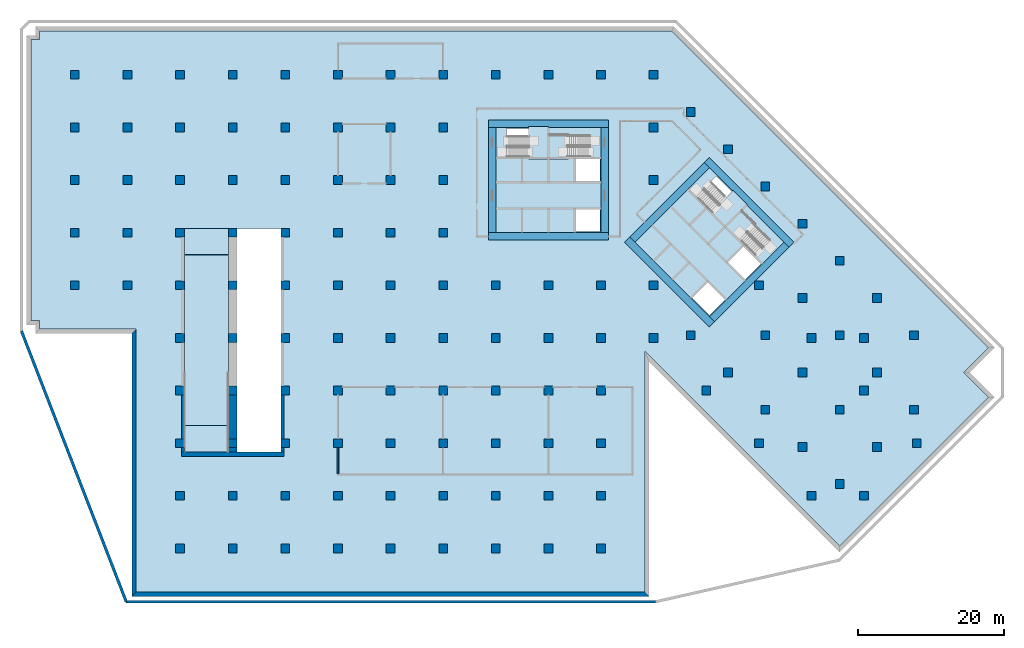
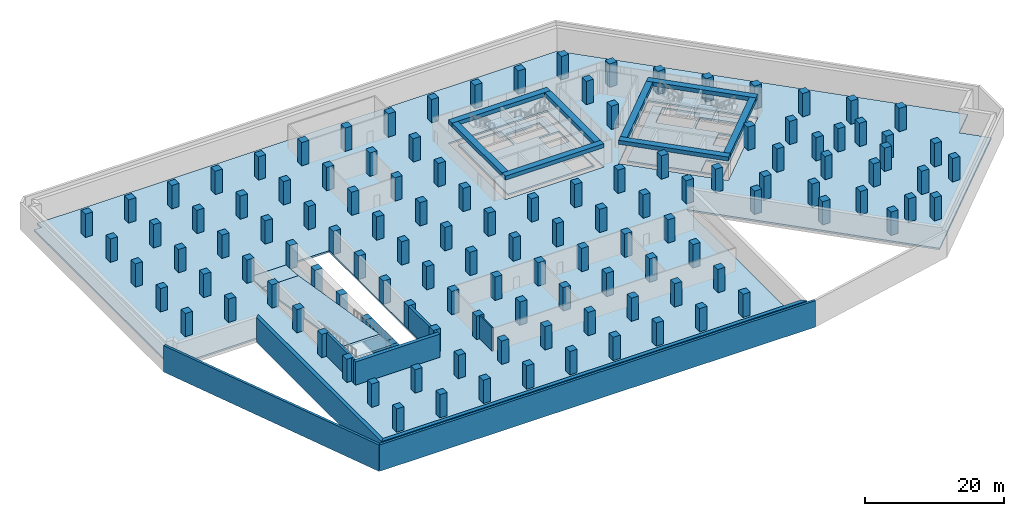
# One storey, part 1 of 11: 125 columns, 12 walls, 10 slabs, 8 beams, 12 openings, 4 elements without a shape of their own.
"""IFC4 building model written with IfcOpenShell, lengths in metres."""

import ifcopenshell
import ifcopenshell.guid

model = None  # the IFC model being written
_history = None  # IfcOwnerHistory: only IFC2X3 demands one
_inside = {}  # id of a spatial element -> (the spatial element, [elements in it])
_under = {}  # id of a project, library or spatial element -> (it, [spatial elements below it])
_declared = {}  # id of a project -> (the project, [libraries it declares])
_typed = {}  # id of a type object -> (the type object, [elements of that type])
_made_of = {}  # id of a material, layer set ... -> (it, [elements and type objects made of it])


def new_model(schema):
    """Start an empty IFC model of exactly this schema.

    Asked for "IFC4X3", IfcOpenShell would pick the latest addendum, in which some entities
    have other attributes; the version numbers below select the first issue.
    IFC2X3 requires an IfcOwnerHistory on every rooted entity: one is made here for all.
    """
    global model, _history
    if schema == "IFC4X3":
        model = ifcopenshell.file(schema_version=(4, 3, 0, 0))
    else:
        model = ifcopenshell.file(schema=schema)
    _inside.clear()
    _under.clear()
    _declared.clear()
    _typed.clear()
    _made_of.clear()
    _history = None
    if model.schema == "IFC2X3":
        org = make("IfcOrganization", Name="unknown")
        user = make(
            "IfcPersonAndOrganization",
            ThePerson=make("IfcPerson", FamilyName="unknown"),
            TheOrganization=org,
        )
        app = make(
            "IfcApplication",
            ApplicationDeveloper=org,
            Version="unknown",
            ApplicationFullName="unknown",
            ApplicationIdentifier="unknown",
        )
        _history = make(
            "IfcOwnerHistory",
            OwningUser=user,
            OwningApplication=app,
            ChangeAction="ADDED",
            CreationDate=0,
        )
    return model


def make(cls, **values):
    """One entity of the class cls with the attributes given. An attribute that is None is left unset."""
    return model.create_entity(
        cls, **{name: value for name, value in values.items() if value is not None}
    )


def rooted(cls, **values):
    """An entity with a GlobalId (a new one), such as an element, a storey or a relation."""
    return make(cls, GlobalId=ifcopenshell.guid.new(), OwnerHistory=_history, **values)


def si_unit(unit_type, name, prefix=None):
    """IfcSIUnit, for example si_unit("LENGTHUNIT", "METRE", prefix="MILLI")."""
    return make("IfcSIUnit", UnitType=unit_type, Prefix=prefix, Name=name)


def assignment(units):
    """IfcUnitAssignment: the units of a project."""
    return None if units is None else make("IfcUnitAssignment", Units=units)


def point(xyz):
    """IfcCartesianPoint."""
    return None if xyz is None else make("IfcCartesianPoint", Coordinates=xyz)


def direction(xyz):
    """IfcDirection."""
    return None if xyz is None else make("IfcDirection", DirectionRatios=xyz)


def frame(location, z_axis=None, x_axis=None):
    """IfcAxis2Placement3D, a coordinate frame: its origin and axes. An axis left out is left unset."""
    return make(
        "IfcAxis2Placement3D",
        Location=point(location),
        Axis=direction(z_axis),
        RefDirection=direction(x_axis),
    )


def frame_2d(location, x_axis=None):
    """IfcAxis2Placement2D, a coordinate frame in the plane: its origin and x axis."""
    return make(
        "IfcAxis2Placement2D", Location=point(location), RefDirection=direction(x_axis)
    )


def origin():
    """The frame at (0, 0, 0) with its axes left unset."""
    return frame((0.0, 0.0, 0.0))


def origin_2d():
    """The frame at (0, 0) in the plane with its x axis left unset."""
    return frame_2d((0.0, 0.0))


def place(relative_to, where):
    """IfcLocalPlacement: puts the frame where relative to a parent placement (None: the world)."""
    return make(
        "IfcLocalPlacement", PlacementRelTo=relative_to, RelativePlacement=where
    )


def context(
    kind, dimensions, precision=None, world=None, true_north=None, identifier=None
):
    """IfcGeometricRepresentationContext, for example the 3D "Model" context."""
    return make(
        "IfcGeometricRepresentationContext",
        ContextIdentifier=identifier,
        ContextType=kind,
        CoordinateSpaceDimension=dimensions,
        Precision=precision,
        WorldCoordinateSystem=world,
        TrueNorth=true_north,
    )


def subcontext(parent, identifier, kind, view, scale=None):
    """IfcGeometricRepresentationSubContext, for example "Body" below "Model"."""
    return make(
        "IfcGeometricRepresentationSubContext",
        ContextIdentifier=identifier,
        ContextType=kind,
        ParentContext=parent,
        TargetScale=scale,
        TargetView=view,
    )


def project(units=None, contexts=None):
    """IfcProject with its units and contexts."""
    return rooted(
        "IfcProject",
        Name="project",
        RepresentationContexts=contexts,
        UnitsInContext=assignment(units),
    )


def spatial(cls, under=None, at=None, **own):
    """A site, building, storey or space (cls), placed at a placement, below another one or the project."""
    s = rooted(cls, ObjectPlacement=at, **own)
    if under is not None:
        _under.setdefault(under.id(), (under, []))[1].append(s)
    return s


def polyline(points):
    """IfcPolyline through the points."""
    return make("IfcPolyline", Points=[point(p) for p in points])


def profile(cls, at=None, kind="AREA", **sizes):
    """A parametric profile (cls). Its sizes go by their IFC names, for example OverallWidth=200.0."""
    return make(cls, ProfileType=kind, Position=at, **sizes)


def rectangle(**sizes):
    """IfcRectangleProfileDef."""
    return profile("IfcRectangleProfileDef", **sizes)


def outline(outer, holes=None, kind="AREA"):
    """IfcArbitraryClosedProfileDef: a profile drawn as a closed curve; with holes, ...WithVoids."""
    if holes is None:
        return make("IfcArbitraryClosedProfileDef", ProfileType=kind, OuterCurve=outer)
    return make(
        "IfcArbitraryProfileDefWithVoids",
        ProfileType=kind,
        OuterCurve=outer,
        InnerCurves=holes,
    )


def extrude(swept, where, along, depth):
    """IfcExtrudedAreaSolid: the profile swept, set in the frame where, extruded along a direction by depth."""
    return make(
        "IfcExtrudedAreaSolid",
        SweptArea=swept,
        Position=where,
        ExtrudedDirection=direction(along),
        Depth=depth,
    )


def shape(context_of_items, identifier, shape_type, items):
    """IfcShapeRepresentation: the items that make up one representation, for example the "Body"."""
    return make(
        "IfcShapeRepresentation",
        ContextOfItems=context_of_items,
        RepresentationIdentifier=identifier,
        RepresentationType=shape_type,
        Items=items,
    )


def material(Name=None, Category=None):
    """IfcMaterial."""
    return make("IfcMaterial", Name=Name, Category=Category)


def layer(
    of_material, thickness, ventilated=None, Name=None, Category=None, Priority=None
):
    """IfcMaterialLayer: one layer of a wall or slab, of a material (None: an air gap)."""
    return make(
        "IfcMaterialLayer",
        Material=of_material,
        LayerThickness=thickness,
        IsVentilated=ventilated,
        Name=Name,
        Category=Category,
        Priority=Priority,
    )


def layer_set(layers, Name=None):
    """IfcMaterialLayerSet."""
    return make("IfcMaterialLayerSet", MaterialLayers=layers, LayerSetName=Name)


def material_profile(
    of_material, cross_section, Name=None, Category=None, Priority=None
):
    """IfcMaterialProfile: a cross section and its material."""
    return make(
        "IfcMaterialProfile",
        Name=Name,
        Material=of_material,
        Profile=cross_section,
        Priority=Priority,
        Category=Category,
    )


def profile_set(profiles, Name=None, composite=None):
    """IfcMaterialProfileSet."""
    return make(
        "IfcMaterialProfileSet",
        Name=Name,
        MaterialProfiles=profiles,
        CompositeProfile=composite,
    )


def made_of(thing, what):
    """Note that an element or type object is made of a material, layer set ...; save() writes the relation."""
    if what is not None:
        _made_of.setdefault(what.id(), (what, []))[1].append(thing)
    return thing


def type_object(cls, material=None, **own):
    """A type object (cls), such as IfcWallType, which elements share."""
    return made_of(rooted(cls, **own), material)


def element(
    cls,
    number,
    at=None,
    inside=None,
    cuts=None,
    type_object=None,
    material=None,
    context=None,
    identifier="Body",
    shape_type=None,
    held_by="IfcProductDefinitionShape",
    body=None,
    shapes=None,
    **own,
):
    """One element of the class cls, such as IfcWall. Its Tag is "e" and its number.

    at: its placement. inside: the storey or other place that contains it. cuts: it is an
    opening in that element (IfcRelVoidsElement). A single representation is given by context,
    identifier, shape_type and body (its items); several are given by shapes. held_by: the class
    of the entity that holds the representations. save() writes the other relations.
    """
    e = rooted(cls, Tag="e%d" % number, ObjectPlacement=at, **own)
    if body is not None:
        shapes = [shape(context, identifier, shape_type, body)]
    if shapes is not None:
        e.Representation = make(held_by, Representations=shapes)
    if inside is not None:
        _inside.setdefault(inside.id(), (inside, []))[1].append(e)
    if cuts is not None:
        rooted(
            "IfcRelVoidsElement", RelatingBuildingElement=cuts, RelatedOpeningElement=e
        )
    if type_object is not None:
        _typed.setdefault(type_object.id(), (type_object, []))[1].append(e)
    return made_of(e, material)


def aggregate(whole, parts):
    """IfcRelAggregates: a whole, such as a stair, and the parts it consists of."""
    return rooted("IfcRelAggregates", RelatingObject=whole, RelatedObjects=parts)


def save(model, path):
    """Write the relations noted so far, then the file.

    IfcRelAggregates (storeys below a building ...), IfcRelContainedInSpatialStructure (elements
    in a storey), IfcRelDefinesByType, IfcRelAssociatesMaterial and IfcRelDeclares: one each for
    every whole, place, type object, material and project.
    """
    for whole, parts in _under.values():
        aggregate(whole, parts)
    for where, things in _inside.values():
        rooted(
            "IfcRelContainedInSpatialStructure",
            RelatedElements=things,
            RelatingStructure=where,
        )
    for kind, things in _typed.values():
        rooted("IfcRelDefinesByType", RelatedObjects=things, RelatingType=kind)
    for what, things in _made_of.values():
        rooted("IfcRelAssociatesMaterial", RelatedObjects=things, RelatingMaterial=what)
    for by, libraries in _declared.values():
        rooted("IfcRelDeclares", RelatingContext=by, RelatedDefinitions=libraries)
    model.write(path)


model = new_model("IFC4")

# Units and contexts
model_context = context("Model", 3, precision=1e-05, world=origin(), true_north=direction((0.0, 1.0)))
body_context = subcontext(model_context, "Body", "Model", "MODEL_VIEW")
ifc_project = project(units=[si_unit("LENGTHUNIT", "METRE"), si_unit("AREAUNIT", "SQUARE_METRE"), si_unit("VOLUMEUNIT", "CUBIC_METRE"), si_unit("PLANEANGLEUNIT", "RADIAN"), si_unit("MASSUNIT", "GRAM", prefix="KILO")], contexts=[model_context])

# Site, building, storey
site_placement = place(None, origin())
site = spatial("IfcSite", under=ifc_project, at=site_placement, CompositionType="ELEMENT")
building_placement = place(site_placement, origin())
building = spatial("IfcBuilding", under=site, at=building_placement, Name="Windrow Commons", CompositionType="ELEMENT")
storey_placement = place(building_placement, frame((0.0, 0.0, -4.5)))
storey = spatial("IfcBuildingStorey", under=building, at=storey_placement, Name="B1", CompositionType="ELEMENT", Elevation=-4.5)

# Columns
ifc_material_1 = material(Name="Concrete C60/75", Category="concrete")
ifc_material_profile_1 = material_profile(ifc_material_1, rectangle(XDim=1.2, YDim=1.2, at=origin_2d()))
ifc_profile_set_1 = profile_set([ifc_material_profile_1], Name="Concrete C60/75")
column_type = type_object("IfcColumnType", Name="RC COLUMN 1200x1200 C60/75", PredefinedType="COLUMN", material=ifc_profile_set_1)
for number, where, z_axis, x_axis, name in (
    (1, (0.0, 50.4, 0.0), (0.0, 0.0, 1.0), (1.0, 0.0, 0.0), "C-B-01G"),
    (2, (0.0, 57.6, 0.0), (0.0, 0.0, 1.0), (1.0, 0.0, 0.0), "C-B-01H"),
    (3, (0.0, 64.8, 0.0), (0.0, 0.0, 1.0), (1.0, 0.0, 0.0), "C-B-01I"),
    (4, (7.2, 43.2, 0.0), (0.0, 0.0, 1.0), (1.0, 0.0, 0.0), "C-B-02F"),
    (5, (7.2, 50.4, 0.0), (0.0, 0.0, 1.0), (1.0, 0.0, 0.0), "C-B-02G"),
    (6, (7.2, 57.6, 0.0), (0.0, 0.0, 1.0), (1.0, 0.0, 0.0), "C-B-02H"),
    (7, (7.2, 64.8, 0.0), (0.0, 0.0, 1.0), (1.0, 0.0, 0.0), "C-B-02I"),
    (8, (7.2, 72.0, 0.0), (0.0, 0.0, 1.0), (1.0, 0.0, 0.0), "C-B-02J"),
    (9, (14.4, 7.2, 0.0), (0.0, 0.0, 1.0), (1.0, 0.0, 0.0), "C-B-03A"),
    (10, (14.4, 14.4, 0.0), (0.0, 0.0, 1.0), (1.0, 0.0, 0.0), "C-B-03B"),
    (11, (14.4, 21.6, 0.0), (0.0, 0.0, 1.0), (1.0, 0.0, 0.0), "C-B-03C"),
    (12, (14.4, 28.8, 0.0), (0.0, 0.0, 1.0), (1.0, 0.0, 0.0), "C-B-03D"),
    (13, (14.4, 36.0, 0.0), (0.0, 0.0, 1.0), (1.0, 0.0, 0.0), "C-B-03E"),
    (14, (14.4, 43.2, 0.0), (0.0, 0.0, 1.0), (1.0, 0.0, 0.0), "C-B-03F"),
    (15, (14.4, 50.4, 0.0), (0.0, 0.0, 1.0), (1.0, 0.0, 0.0), "C-B-03G"),
    (16, (14.4, 57.6, 0.0), (0.0, 0.0, 1.0), (1.0, 0.0, 0.0), "C-B-03H"),
    (17, (14.4, 64.8, 0.0), (0.0, 0.0, 1.0), (1.0, 0.0, 0.0), "C-B-03I"),
    (18, (14.4, 72.0, 0.0), (0.0, 0.0, 1.0), (1.0, 0.0, 0.0), "C-B-03J"),
    (19, (21.6, 7.2, 0.0), (0.0, 0.0, 1.0), (1.0, 0.0, 0.0), "C-B-04A"),
    (20, (21.6, 14.4, 0.0), (0.0, 0.0, 1.0), (1.0, 0.0, 0.0), "C-B-04B"),
    (21, (21.6, 21.6, 0.0), (0.0, 0.0, 1.0), (1.0, 0.0, 0.0), "C-B-04C"),
    (22, (21.6, 28.8, 0.0), (0.0, 0.0, 1.0), (1.0, 0.0, 0.0), "C-B-04D"),
    (23, (21.6, 36.0, 0.0), (0.0, 0.0, 1.0), (1.0, 0.0, 0.0), "C-B-04E"),
    (24, (21.6, 43.2, 0.0), (0.0, 0.0, 1.0), (1.0, 0.0, 0.0), "C-B-04F"),
    (25, (21.6, 50.4, 0.0), (0.0, 0.0, 1.0), (1.0, 0.0, 0.0), "C-B-04G"),
    (26, (21.6, 57.6, 0.0), (0.0, 0.0, 1.0), (1.0, 0.0, 0.0), "C-B-04H"),
    (27, (21.6, 64.8, 0.0), (0.0, 0.0, 1.0), (1.0, 0.0, 0.0), "C-B-04I"),
    (28, (21.6, 72.0, 0.0), (0.0, 0.0, 1.0), (1.0, 0.0, 0.0), "C-B-04J"),
    (29, (28.8, 7.2, 0.0), (0.0, 0.0, 1.0), (1.0, 0.0, 0.0), "C-B-05A"),
    (30, (28.8, 14.4, 0.0), (0.0, 0.0, 1.0), (1.0, 0.0, 0.0), "C-B-05B"),
    (31, (28.8, 21.6, 0.0), (0.0, 0.0, 1.0), (1.0, 0.0, 0.0), "C-B-05C"),
    (32, (28.8, 28.8, 0.0), (0.0, 0.0, 1.0), (1.0, 0.0, 0.0), "C-B-05D"),
    (33, (28.8, 36.0, 0.0), (0.0, 0.0, 1.0), (1.0, 0.0, 0.0), "C-B-05E"),
    (34, (28.8, 43.2, 0.0), (0.0, 0.0, 1.0), (1.0, 0.0, 0.0), "C-B-05F"),
    (35, (28.8, 50.4, 0.0), (0.0, 0.0, 1.0), (1.0, 0.0, 0.0), "C-B-05G"),
    (36, (28.8, 57.6, 0.0), (0.0, 0.0, 1.0), (1.0, 0.0, 0.0), "C-B-05H"),
    (37, (28.8, 64.8, 0.0), (0.0, 0.0, 1.0), (1.0, 0.0, 0.0), "C-B-05I"),
    (38, (28.8, 72.0, 0.0), (0.0, 0.0, 1.0), (1.0, 0.0, 0.0), "C-B-05J"),
    (39, (36.0, 7.2, 0.0), (0.0, 0.0, 1.0), (1.0, 0.0, 0.0), "C-B-06A"),
    (40, (36.0, 14.4, 0.0), (0.0, 0.0, 1.0), (1.0, 0.0, 0.0), "C-B-06B"),
    (41, (36.0, 21.6, 0.0), (0.0, 0.0, 1.0), (1.0, 0.0, 0.0), "C-B-06C"),
    (42, (36.0, 28.8, 0.0), (0.0, 0.0, 1.0), (1.0, 0.0, 0.0), "C-B-06D"),
    (43, (36.0, 36.0, 0.0), (0.0, 0.0, 1.0), (1.0, 0.0, 0.0), "C-B-06E"),
    (44, (36.0, 43.2, 0.0), (0.0, 0.0, 1.0), (1.0, 0.0, 0.0), "C-B-06F"),
    (45, (36.0, 50.4, 0.0), (0.0, 0.0, 1.0), (1.0, 0.0, 0.0), "C-B-06G"),
    (46, (36.0, 57.6, 0.0), (0.0, 0.0, 1.0), (1.0, 0.0, 0.0), "C-B-06H"),
    (47, (36.0, 64.8, 0.0), (0.0, 0.0, 1.0), (1.0, 0.0, 0.0), "C-B-06I"),
    (48, (36.0, 72.0, 0.0), (0.0, 0.0, 1.0), (1.0, 0.0, 0.0), "C-B-06J"),
    (49, (43.2, 7.2, 0.0), (0.0, 0.0, 1.0), (1.0, 0.0, 0.0), "C-B-07A"),
    (50, (43.2, 14.4, 0.0), (0.0, 0.0, 1.0), (1.0, 0.0, 0.0), "C-B-07B"),
    (51, (43.2, 21.6, 0.0), (0.0, 0.0, 1.0), (1.0, 0.0, 0.0), "C-B-07C"),
    (52, (43.2, 28.8, 0.0), (0.0, 0.0, 1.0), (1.0, 0.0, 0.0), "C-B-07D"),
    (53, (43.2, 36.0, 0.0), (0.0, 0.0, 1.0), (1.0, 0.0, 0.0), "C-B-07E"),
    (54, (43.2, 43.2, 0.0), (0.0, 0.0, 1.0), (1.0, 0.0, 0.0), "C-B-07F"),
    (55, (43.2, 50.4, 0.0), (0.0, 0.0, 1.0), (1.0, 0.0, 0.0), "C-B-07G"),
    (56, (43.2, 57.6, 0.0), (0.0, 0.0, 1.0), (1.0, 0.0, 0.0), "C-B-07H"),
    (57, (43.2, 64.8, 0.0), (0.0, 0.0, 1.0), (1.0, 0.0, 0.0), "C-B-07I"),
    (58, (43.2, 72.0, 0.0), (0.0, 0.0, 1.0), (1.0, 0.0, 0.0), "C-B-07J"),
    (59, (50.4, 7.2, 0.0), (0.0, 0.0, 1.0), (1.0, 0.0, 0.0), "C-B-08A"),
    (60, (50.4, 14.4, 0.0), (0.0, 0.0, 1.0), (1.0, 0.0, 0.0), "C-B-08B"),
    (61, (50.4, 21.6, 0.0), (0.0, 0.0, 1.0), (1.0, 0.0, 0.0), "C-B-08C"),
    (62, (50.4, 28.8, 0.0), (0.0, 0.0, 1.0), (1.0, 0.0, 0.0), "C-B-08D"),
    (63, (50.4, 36.0, 0.0), (0.0, 0.0, 1.0), (1.0, 0.0, 0.0), "C-B-08E"),
    (64, (50.4, 43.2, 0.0), (0.0, 0.0, 1.0), (1.0, 0.0, 0.0), "C-B-08F"),
    (65, (50.4, 50.4, 0.0), (0.0, 0.0, 1.0), (1.0, 0.0, 0.0), "C-B-08G"),
    (66, (50.4, 57.6, 0.0), (0.0, 0.0, 1.0), (1.0, 0.0, 0.0), "C-B-08H"),
    (67, (50.4, 64.8, 0.0), (0.0, 0.0, 1.0), (1.0, 0.0, 0.0), "C-B-08I"),
    (68, (50.4, 72.0, 0.0), (0.0, 0.0, 1.0), (1.0, 0.0, 0.0), "C-B-08J"),
    (69, (57.6, 7.2, 0.0), (0.0, 0.0, 1.0), (1.0, 0.0, 0.0), "C-B-09A"),
    (70, (57.6, 14.4, 0.0), (0.0, 0.0, 1.0), (1.0, 0.0, 0.0), "C-B-09B"),
    (71, (57.6, 21.6, 0.0), (0.0, 0.0, 1.0), (1.0, 0.0, 0.0), "C-B-09C"),
    (72, (57.6, 28.8, 0.0), (0.0, 0.0, 1.0), (1.0, 0.0, 0.0), "C-B-09D"),
    (73, (57.6, 36.0, 0.0), (0.0, 0.0, 1.0), (1.0, 0.0, 0.0), "C-B-09E"),
    (74, (57.6, 43.2, 0.0), (0.0, 0.0, 1.0), (1.0, 0.0, 0.0), "C-B-09F"),
    (75, (57.6, 72.0, 0.0), (0.0, 0.0, 1.0), (1.0, 0.0, 0.0), "C-B-09J"),
    (76, (64.8, 7.2, 0.0), (0.0, 0.0, 1.0), (1.0, 0.0, 0.0), "C-B-10A"),
    (77, (64.8, 14.4, 0.0), (0.0, 0.0, 1.0), (1.0, 0.0, 0.0), "C-B-10B"),
    (78, (64.8, 21.6, 0.0), (0.0, 0.0, 1.0), (1.0, 0.0, 0.0), "C-B-10C"),
    (79, (64.8, 28.8, 0.0), (0.0, 0.0, 1.0), (1.0, 0.0, 0.0), "C-B-10D"),
    (80, (64.8, 36.0, 0.0), (0.0, 0.0, 1.0), (1.0, 0.0, 0.0), "C-B-10E"),
    (81, (64.8, 43.2, 0.0), (0.0, 0.0, 1.0), (1.0, 0.0, 0.0), "C-B-10F"),
    (82, (64.8, 72.0, 0.0), (0.0, 0.0, 1.0), (1.0, 0.0, 0.0), "C-B-10J"),
    (83, (72.0, 7.2, 0.0), (0.0, 0.0, 1.0), (1.0, 0.0, 0.0), "C-B-11A"),
    (84, (72.0, 14.4, 0.0), (0.0, 0.0, 1.0), (1.0, 0.0, 0.0), "C-B-11B"),
    (85, (72.0, 21.6, 0.0), (0.0, 0.0, 1.0), (1.0, 0.0, 0.0), "C-B-11C"),
    (86, (72.0, 28.8, 0.0), (0.0, 0.0, 1.0), (1.0, 0.0, 0.0), "C-B-11D"),
    (87, (72.0, 36.0, 0.0), (0.0, 0.0, 1.0), (1.0, 0.0, 0.0), "C-B-11E"),
    (88, (72.0, 43.2, 0.0), (0.0, 0.0, 1.0), (1.0, 0.0, 0.0), "C-B-11F"),
    (89, (72.0, 72.0, 0.0), (0.0, 0.0, 1.0), (1.0, 0.0, 0.0), "C-B-11J"),
    (90, (79.2, 43.2, 0.0), (0.0, 0.0, 1.0), (1.0, 0.0, 0.0), "C-B-12F"),
    (91, (79.2, 57.6, 0.0), (0.0, 0.0, 1.0), (1.0, 0.0, 0.0), "C-B-12H"),
    (92, (79.2, 64.8, 0.0), (0.0, 0.0, 1.0), (1.0, 0.0, 0.0), "C-B-12I"),
    (93, (79.2, 72.0, 0.0), (0.0, 0.0, 1.0), (1.0, 0.0, 0.0), "C-B-12J"),
    (94, (84.2912, 66.9088, 0.0), (0.0, 0.0, 1.0), (1.0, 0.0, 0.0), "C-B-P2Q"),
    (95, (89.3823, 61.8177, 0.0), (0.0, 0.0, 1.0), (1.0, 0.0, 0.0), "C-B-P3Q"),
    (96, (94.4735, 56.7265, 0.0), (0.0, 0.0, 1.0), (1.0, 0.0, 0.0), "C-B-P4Q"),
    (97, (99.5647, 51.6353, 0.0), (0.0, 0.0, 1.0), (1.0, 0.0, 0.0), "C-B-P5Q"),
    (98, (84.2912, 36.3618, 0.0), (0.0, 0.0, 1.0), (1.0, 0.0, 0.0), "C-B-P5T"),
    (99, (104.6558, 46.5442, 0.0), (0.0, 0.0, 1.0), (1.0, 0.0, 0.0), "C-B-P6Q"),
    (100, (99.5647, 41.453, 0.0), (0.0, 0.0, 1.0), (1.0, 0.0, 0.0), "C-B-P6R"),
    (101, (94.4735, 36.3618, 0.0), (0.0, 0.0, 1.0), (1.0, 0.0, 0.0), "C-B-P6S"),
    (102, (89.3823, 31.2706, 0.0), (0.0, 0.0, 1.0), (1.0, 0.0, 0.0), "C-B-P6T"),
    (103, (109.747, 41.453, 0.0), (0.0, 0.0, 1.0), (1.0, 0.0, 0.0), "C-B-P7Q"),
    (104, (104.6558, 36.3618, 0.0), (0.0, 0.0, 1.0), (1.0, 0.0, 0.0), "C-B-P7R"),
    (105, (99.5647, 31.2706, 0.0), (0.0, 0.0, 1.0), (1.0, 0.0, 0.0), "C-B-P7S"),
    (106, (94.4735, 26.1795, 0.0), (0.0, 0.0, 1.0), (1.0, 0.0, 0.0), "C-B-P7T"),
    (107, (114.8382, 36.3618, 0.0), (0.0, 0.0, 1.0), (1.0, 0.0, 0.0), "C-B-P8Q"),
    (108, (109.747, 31.2706, 0.0), (0.0, 0.0, 1.0), (1.0, 0.0, 0.0), "C-B-P8R"),
    (109, (104.6558, 26.1795, 0.0), (0.0, 0.0, 1.0), (1.0, 0.0, 0.0), "C-B-P8S"),
    (110, (99.5647, 21.0883, 0.0), (0.0, 0.0, 1.0), (1.0, 0.0, 0.0), "C-B-P8T"),
    (111, (114.8382, 26.1795, 0.0), (0.0, 0.0, 1.0), (1.0, 0.0, 0.0), "C-B-P9R"),
    (112, (109.747, 21.0883, 0.0), (0.0, 0.0, 1.0), (1.0, 0.0, 0.0), "C-B-P9S"),
    (113, (104.6558, 15.9971, 0.0), (0.0, 0.0, 1.0), (1.0, 0.0, 0.0), "C-B-P9T"),
    (114, (0.0, 43.2, 0.0), (0.0, 0.0, 1.0), (1.0, 0.0, 0.0), "C-B-01F"),
    (115, (0.0, 72.0, 0.0), (0.0, 0.0, 1.0), (1.0, 0.0, 0.0), "C-B-01J"),
    (116, (79.2, 36.0, 0.0), (0.0, 0.0, 1.0), (1.0, 0.0, 0.0), "C-B-12E"),
    (117, (86.4, 28.8, 0.0), (0.0, 0.0, 1.0), (1.0, 0.0, 0.0), "C-B-13D"),
    (118, (93.6, 21.6, 0.0), (0.0, 0.0, 1.0), (1.0, 0.0, 0.0), "C-B-14C"),
    (119, (93.6, 43.2, 0.0), (0.0, 0.0, 1.0), (1.0, 0.0, 0.0), "C-B-14F"),
    (120, (100.8, 14.4, 0.0), (0.0, 0.0, 1.0), (1.0, 0.0, 0.0), "C-B-15B"),
    (121, (100.8, 36.0, 0.0), (0.0, 0.0, 1.0), (1.0, 0.0, 0.0), "C-B-15E"),
    (122, (108.0, 14.4, 0.0), (0.0, 0.0, 1.0), (1.0, 0.0, 0.0), "C-B-16B"),
    (123, (108.0, 28.8, 0.0), (0.0, 0.0, 1.0), (1.0, 0.0, 0.0), "C-B-16D"),
    (124, (108.0, 36.0, 0.0), (0.0, 0.0, 1.0), (1.0, 0.0, 0.0), "C-B-16E"),
    (125, (115.2, 21.6, 0.0), (0.0, 0.0, 1.0), (1.0, 0.0, 0.0), "C-B-17C"),
):
    element("IfcColumn", number, at=place(storey_placement, frame(where, z_axis=z_axis, x_axis=x_axis)), inside=storey, type_object=column_type, Name=name, PredefinedType="COLUMN", context=body_context, shape_type="SweptSolid", body=[
        extrude(rectangle(XDim=1.2, YDim=1.2, at=origin_2d()), origin(), (0.0, 0.0, 1.0), 4.1),
    ])

# Beams
ifc_material_2 = material(Name="Concrete C60/75", Category="concrete")
ifc_material_profile_2 = material_profile(ifc_material_2, rectangle(XDim=1.0, YDim=0.7, at=origin_2d()))
ifc_profile_set_2 = profile_set([ifc_material_profile_2], Name="Concrete C60/75")
beam_type = type_object("IfcBeamType", Name="RC COUPLING BEAM 1000x700 C60/75", PredefinedType="LINTEL", material=ifc_profile_set_2)
for number, where, z_axis, x_axis, name in (
    (126, (56.6, 49.9, 3.75), (1.0, 0.0, 0.0), (0.0, 1.0, 0.0), "Core A coupling beam outer-S"),
    (127, (56.6, 65.3, 3.75), (1.0, 0.0, 0.0), (0.0, 1.0, 0.0), "Core A coupling beam outer-N"),
):
    element("IfcBeam", number, at=place(storey_placement, frame(where, z_axis=z_axis, x_axis=x_axis)), inside=storey, type_object=beam_type, Name=name, PredefinedType="LINTEL", context=body_context, shape_type="SweptSolid", body=[
        extrude(rectangle(XDim=1.0, YDim=0.7, at=origin_2d()), origin(), (0.0, 0.0, 1.0), 16.4),
    ])
for number, where, z_axis, x_axis, name in (
    (128, (57.1, 50.4, 3.75), (0.0, 1.0, 0.0), (-1.0, 0.0, 0.0), "Core A coupling beam outer-W"),
    (129, (72.5, 50.4, 3.75), (0.0, 1.0, 0.0), (-1.0, 0.0, 0.0), "Core A coupling beam outer-E"),
):
    element("IfcBeam", number, at=place(storey_placement, frame(where, z_axis=z_axis, x_axis=x_axis)), inside=storey, type_object=beam_type, Name=name, PredefinedType="LINTEL", context=body_context, shape_type="SweptSolid", body=[
        extrude(rectangle(XDim=1.0, YDim=0.7, at=origin_2d()), origin(), (0.0, 0.0, 1.0), 14.4),
    ])
for number, where, z_axis, x_axis, name in (
    (130, (75.5938, 49.4433, 3.75), (0.7071037324, -0.70710983, 0.0), (0.70710983, 0.7071037324, 0.0), "Core B coupling beam outer-S"),
    (131, (86.4832, 60.3327, 3.75), (0.70710983, -0.7071037324, 0.0), (0.7071037324, 0.70710983, 0.0), "Core B coupling beam outer-N"),
):
    element("IfcBeam", number, at=place(storey_placement, frame(where, z_axis=z_axis, x_axis=x_axis)), inside=storey, type_object=beam_type, Name=name, PredefinedType="LINTEL", context=body_context, shape_type="SweptSolid", body=[
        extrude(rectangle(XDim=1.0, YDim=0.7, at=origin_2d()), origin(), (0.0, 0.0, 1.0), 16.4),
    ])
beam_1_placement = place(storey_placement, frame((76.3009, 49.4433, 3.75), z_axis=(0.7071067812, 0.7071067812, 0.0), x_axis=(-0.7071067812, 0.7071067812, 0.0)))
element("IfcBeam", 132, at=beam_1_placement, inside=storey, type_object=beam_type, Name="Core B coupling beam outer-W", PredefinedType="LINTEL", context=body_context, shape_type="SweptSolid", body=[
    extrude(rectangle(XDim=1.0, YDim=0.7, at=origin_2d()), origin(), (0.0, 0.0, 1.0), 14.3999),
])
beam_2_placement = place(storey_placement, frame((87.1903, 38.5538, 3.75), z_axis=(0.707103309, 0.7071102534, 0.0), x_axis=(-0.7071102534, 0.707103309, 0.0)))
element("IfcBeam", 133, at=beam_2_placement, inside=storey, type_object=beam_type, Name="Core B coupling beam outer-E", PredefinedType="LINTEL", context=body_context, shape_type="SweptSolid", body=[
    extrude(rectangle(XDim=1.0, YDim=0.7, at=origin_2d()), origin(), (0.0, 0.0, 1.0), 14.4),
])

# Slabs
ifc_material_3 = material(Name="Concrete C40/50", Category="concrete")
ifc_layer_1 = layer(ifc_material_3, 0.3)
ifc_layer_set_1 = layer_set([ifc_layer_1], Name="CAR PARK RAMP SLAB 300 C40/50")
slab_type_1 = type_object("IfcSlabType", Name="CAR PARK RAMP SLAB 300 C40/50", PredefinedType="FLOOR", material=ifc_layer_set_1)
slab_1_placement = place(storey_placement, frame((15.0, 20.4, 4.5), z_axis=(0.0, 0.0830454799, 0.9965457582), x_axis=(1.0, 0.0, 0.0)))
element("IfcSlab", 134, at=slab_1_placement, inside=storey, type_object=slab_type_1, Name="Car park ramp 1 flight 1", PredefinedType="FLOOR", context=body_context, shape_type="SweptSolid", body=[
    extrude(outline(polyline([(0.0, 0.0), (6.0, 0.0), (6.0, 3.6125), (0.0, 3.6125), (0.0, 0.0)])), origin(), (0.0, 0.0, -1.0), 0.3),
])
slab_2_placement = place(storey_placement, frame((15.0, 24.0, 4.2), z_axis=(0.0, 0.1643989873, 0.9863939238), x_axis=(1.0, 0.0, 0.0)))
element("IfcSlab", 135, at=slab_2_placement, inside=storey, type_object=slab_type_1, Name="Car park ramp 1 flight 2", PredefinedType="FLOOR", context=body_context, shape_type="SweptSolid", body=[
    extrude(outline(polyline([(0.0, 0.0), (6.0, 0.0), (6.0, 23.7228), (0.0, 23.7228), (0.0, 0.0)])), origin(), (0.0, 0.0, -1.0), 0.3),
])
slab_3_placement = place(storey_placement, frame((15.0, 47.4, 0.3), z_axis=(0.0, 0.0830454799, 0.9965457582), x_axis=(1.0, 0.0, 0.0)))
element("IfcSlab", 136, at=slab_3_placement, inside=storey, type_object=slab_type_1, Name="Car park ramp 1 flight 3", PredefinedType="FLOOR", context=body_context, shape_type="SweptSolid", body=[
    extrude(outline(polyline([(0.0, 0.0), (6.0, 0.0), (6.0, 3.6125), (0.0, 3.6125), (0.0, 0.0)])), origin(), (0.0, 0.0, -1.0), 0.3),
])

# Slab, openings
ifc_material_4 = material(Name="Concrete C60/75", Category="concrete")
ifc_layer_2 = layer(ifc_material_4, 0.3)
ifc_layer_set_2 = layer_set([ifc_layer_2], Name="CORE FLOOR SLAB 300 C60/75")
slab_type_2 = type_object("IfcSlabType", Name="CORE FLOOR SLAB 300 C60/75", PredefinedType="FLOOR", material=ifc_layer_set_2)
placement_1 = place(storey_placement, frame((0.0, 0.0, -0.3)))
slab_4 = element("IfcSlab", 137, at=placement_1, inside=storey, type_object=slab_type_2, Name="S-B1-core-A", PredefinedType="FLOOR", context=body_context, shape_type="SweptSolid", body=[
    extrude(outline(polyline([(57.6, 50.4), (72.0, 50.4), (72.0, 64.8), (57.6, 64.8), (57.6, 50.4)]), holes=[polyline([(68.55, 50.55), (71.85, 50.55), (71.85, 53.55), (68.55, 53.55), (68.55, 50.55)]), polyline([(68.55, 57.45), (71.85, 57.45), (71.85, 60.45), (68.55, 60.45), (68.55, 57.45)]), polyline([(59.1, 60.75), (64.65, 60.75), (64.65, 64.65), (59.1, 64.65), (59.1, 60.75)]), polyline([(64.95, 60.75), (70.5, 60.75), (70.5, 63.705), (64.95, 63.705), (64.95, 60.75)])]), origin(), (0.0, 0.0, 1.0), 0.3),
])
opening_1_placement = place(placement_1, origin())
element("IfcOpeningElement", 138, at=opening_1_placement, cuts=slab_4, Name="Slab opening S-B1-core-A 1", PredefinedType="OPENING", context=body_context, shape_type="SweptSolid", body=[
    extrude(outline(polyline([(68.555, 50.555), (68.555, 53.545), (71.845, 53.545), (71.845, 50.555), (68.555, 50.555)])), origin(), (0.0, 0.0, 1.0), 0.3),
])
opening_2_placement = place(placement_1, origin())
element("IfcOpeningElement", 139, at=opening_2_placement, cuts=slab_4, Name="Slab opening S-B1-core-A 2", PredefinedType="OPENING", context=body_context, shape_type="SweptSolid", body=[
    extrude(outline(polyline([(68.555, 57.455), (68.555, 60.445), (71.845, 60.445), (71.845, 57.455), (68.555, 57.455)])), origin(), (0.0, 0.0, 1.0), 0.3),
])
opening_3_placement = place(placement_1, origin())
element("IfcOpeningElement", 140, at=opening_3_placement, cuts=slab_4, Name="Slab opening S-B1-core-A 3", PredefinedType="OPENING", context=body_context, shape_type="SweptSolid", body=[
    extrude(outline(polyline([(59.105, 60.755), (59.105, 64.645), (64.645, 64.645), (64.645, 60.755), (59.105, 60.755)])), origin(), (0.0, 0.0, 1.0), 0.3),
])
opening_4_placement = place(placement_1, origin())
element("IfcOpeningElement", 141, at=opening_4_placement, cuts=slab_4, Name="Slab opening S-B1-core-A 4", PredefinedType="OPENING", context=body_context, shape_type="SweptSolid", body=[
    extrude(outline(polyline([(64.955, 60.755), (64.955, 63.7), (70.495, 63.7), (70.495, 60.755), (64.955, 60.755)])), origin(), (0.0, 0.0, 1.0), 0.3),
])

slab_5 = element("IfcSlab", 142, at=placement_1, inside=storey, type_object=slab_type_2, Name="S-B1-core-B", PredefinedType="FLOOR", context=body_context, shape_type="SweptSolid", body=[
    extrude(outline(polyline([(76.6544, 49.0897), (86.8368, 38.9074), (97.0191, 49.0897), (86.8368, 59.2721), (76.6544, 49.0897)]), holes=[polyline([(84.5033, 41.453), (86.8368, 39.1195), (88.9581, 41.2409), (86.6246, 43.5743), (84.5033, 41.453)]), polyline([(89.3823, 46.332), (91.7158, 43.9986), (93.8371, 46.1199), (91.5037, 48.4533), (89.3823, 46.332)]), polyline([(85.0336, 55.3476), (88.9581, 51.4232), (91.7158, 54.1809), (87.7913, 58.1054), (85.0336, 55.3476)]), polyline([(89.1702, 51.2111), (93.0946, 47.2866), (95.1841, 49.3761), (91.2597, 53.3006), (89.1702, 51.2111)])]), origin(), (0.0, 0.0, 1.0), 0.3),
])
opening_5_placement = place(placement_1, origin())
element("IfcOpeningElement", 143, at=opening_5_placement, cuts=slab_5, Name="Slab opening S-B1-core-B 1", PredefinedType="OPENING", context=body_context, shape_type="SweptSolid", body=[
    extrude(outline(polyline([(84.5104, 41.453), (86.6246, 43.5672), (88.951, 41.2409), (86.8368, 39.1266), (84.5104, 41.453)])), origin(), (0.0, 0.0, 1.0), 0.3),
])
opening_6_placement = place(placement_1, origin())
element("IfcOpeningElement", 144, at=opening_6_placement, cuts=slab_5, Name="Slab opening S-B1-core-B 2", PredefinedType="OPENING", context=body_context, shape_type="SweptSolid", body=[
    extrude(outline(polyline([(89.3894, 46.332), (91.5037, 48.4462), (93.83, 46.1199), (91.7158, 44.0057), (89.3894, 46.332)])), origin(), (0.0, 0.0, 1.0), 0.3),
])
opening_7_placement = place(placement_1, origin())
element("IfcOpeningElement", 145, at=opening_7_placement, cuts=slab_5, Name="Slab opening S-B1-core-B 3", PredefinedType="OPENING", context=body_context, shape_type="SweptSolid", body=[
    extrude(outline(polyline([(85.0407, 55.3476), (87.7913, 58.0983), (91.7087, 54.1809), (88.9581, 51.4303), (85.0407, 55.3476)])), origin(), (0.0, 0.0, 1.0), 0.3),
])
opening_8_placement = place(placement_1, origin())
element("IfcOpeningElement", 146, at=opening_8_placement, cuts=slab_5, Name="Slab opening S-B1-core-B 4", PredefinedType="OPENING", context=body_context, shape_type="SweptSolid", body=[
    extrude(outline(polyline([(89.1773, 51.2111), (91.2597, 53.2935), (95.177, 49.3761), (93.0946, 47.2937), (89.1773, 51.2111)])), origin(), (0.0, 0.0, 1.0), 0.3),
])

# Stair, slab
ifc_material_5 = material(Name="Concrete C40/50", Category="concrete")
stair_type = type_object("IfcStairType", Name="Core stair", PredefinedType="HALF_TURN_STAIR", material=ifc_material_5)
placement_2 = place(storey_placement, origin())
stair_1 = element("IfcStair", 147, at=placement_2, inside=storey, type_object=stair_type, Name="B1 Exit stair A1 core A", PredefinedType="HALF_TURN_STAIR")
ifc_material_6 = material(Name="Concrete C40/50", Category="concrete")
ifc_layer_3 = layer(ifc_material_6, 0.2)
ifc_layer_set_3 = layer_set([ifc_layer_3], Name="Core stair landing")
slab_type_3 = type_object("IfcSlabType", Name="Core stair landing", PredefinedType="LANDING", material=ifc_layer_set_3)
placement_3 = place(storey_placement, frame((0.0, 0.0, 2.05)))
slab_6 = element("IfcSlab", 148, at=placement_3, type_object=slab_type_3, Name="ST-A1 landing 1", PredefinedType="LANDING", context=body_context, shape_type="SweptSolid", body=[
    extrude(outline(polyline([(62.06, 60.5), (64.8, 60.5), (64.8, 64.9), (62.06, 64.9), (62.06, 60.5)])), origin(), (0.0, 0.0, 1.0), 0.2),
])
aggregate(stair_1, [slab_6])

stair_2 = element("IfcStair", 149, at=placement_2, inside=storey, type_object=stair_type, Name="B1 Exit stair A2 core A", PredefinedType="HALF_TURN_STAIR")
slab_7 = element("IfcSlab", 150, at=placement_3, type_object=slab_type_3, Name="ST-A2 landing 1", PredefinedType="LANDING", context=body_context, shape_type="SweptSolid", body=[
    extrude(outline(polyline([(64.8, 60.5), (67.54, 60.5), (67.54, 63.855), (64.8, 63.855), (64.8, 60.5)])), origin(), (0.0, 0.0, 1.0), 0.2),
])
aggregate(stair_2, [slab_7])

stair_3 = element("IfcStair", 151, at=placement_2, inside=storey, type_object=stair_type, Name="B1 Exit stair B1 core B", PredefinedType="HALF_TURN_STAIR")
slab_8 = element("IfcSlab", 152, at=placement_3, type_object=slab_type_3, Name="ST-B1 landing 1", PredefinedType="LANDING", context=body_context, shape_type="SweptSolid", body=[
    extrude(outline(polyline([(86.9499, 53.0778), (88.8874, 51.1403), (91.9986, 54.2516), (90.0612, 56.1891), (86.9499, 53.0778)])), origin(), (0.0, 0.0, 1.0), 0.2),
])
aggregate(stair_3, [slab_8])

stair_4 = element("IfcStair", 153, at=placement_2, inside=storey, type_object=stair_type, Name="B1 Exit stair B2 core B", PredefinedType="HALF_TURN_STAIR")
slab_9 = element("IfcSlab", 154, at=placement_3, type_object=slab_type_3, Name="ST-B2 landing 1", PredefinedType="LANDING", context=body_context, shape_type="SweptSolid", body=[
    extrude(outline(polyline([(88.8874, 51.1403), (90.8248, 49.2029), (93.1971, 51.5752), (91.2597, 53.5127), (88.8874, 51.1403)])), origin(), (0.0, 0.0, 1.0), 0.2),
])
aggregate(stair_4, [slab_9])

# Slab, openings
ifc_material_7 = material(Name="Concrete C40/50", Category="concrete")
ifc_layer_4 = layer(ifc_material_7, 0.3)
ifc_layer_set_4 = layer_set([ifc_layer_4], Name="FLOOR SLAB 300 C40/50")
slab_type_4 = type_object("IfcSlabType", Name="FLOOR SLAB 300 C40/50", PredefinedType="FLOOR", material=ifc_layer_set_4)
slab_10 = element("IfcSlab", 155, at=placement_1, inside=storey, type_object=slab_type_4, Name="S-B1-floor", PredefinedType="FLOOR", context=body_context, shape_type="SweptSolid", body=[
    extrude(outline(polyline([(-6.0, 38.4), (-4.8, 38.4), (-4.8, 37.2), (8.4, 37.2), (8.4, 1.2), (78.0, 1.2), (78.0, 34.1677), (104.6558, 7.5119), (125.0205, 27.8765), (121.6264, 31.2706), (125.0205, 34.6648), (81.6853, 78.0), (-4.8, 78.0), (-4.8, 76.8), (-6.0, 76.8), (-6.0, 38.4)]), holes=[polyline([(86.8368, 37.4932), (75.2402, 49.0897), (86.8368, 60.6863), (98.4333, 49.0897), (86.8368, 37.4932)]), polyline([(73.0, 49.4), (56.6, 49.4), (56.6, 65.8), (73.0, 65.8), (73.0, 49.4)]), polyline([(15.0, 20.4), (15.0, 51.0), (21.0, 51.0), (21.0, 20.4), (15.0, 20.4)]), polyline([(22.2, 20.4), (22.2, 51.0), (28.2, 51.0), (28.2, 20.4), (22.2, 20.4)])]), origin(), (0.0, 0.0, 1.0), 0.3),
])
opening_9_placement = place(placement_1, origin())
element("IfcOpeningElement", 156, at=opening_9_placement, cuts=slab_10, Name="Slab opening S-B1-floor 1", PredefinedType="OPENING", context=body_context, shape_type="SweptSolid", body=[
    extrude(outline(polyline([(86.8368, 37.5003), (75.2473, 49.0897), (86.8368, 60.6792), (98.4262, 49.0897), (86.8368, 37.5003)])), origin(), (0.0, 0.0, 1.0), 0.3),
])
opening_10_placement = place(placement_1, origin())
element("IfcOpeningElement", 157, at=opening_10_placement, cuts=slab_10, Name="Slab opening S-B1-floor 2", PredefinedType="OPENING", context=body_context, shape_type="SweptSolid", body=[
    extrude(outline(polyline([(72.995, 49.405), (56.605, 49.405), (56.605, 65.795), (72.995, 65.795), (72.995, 49.405)])), origin(), (0.0, 0.0, 1.0), 0.3),
])
opening_11_placement = place(placement_1, origin())
element("IfcOpeningElement", 158, at=opening_11_placement, cuts=slab_10, Name="Slab opening S-B1-floor 3", PredefinedType="OPENING", context=body_context, shape_type="SweptSolid", body=[
    extrude(outline(polyline([(15.005, 20.405), (15.005, 50.995), (20.995, 50.995), (20.995, 20.405), (15.005, 20.405)])), origin(), (0.0, 0.0, 1.0), 0.3),
])
opening_12_placement = place(placement_1, origin())
element("IfcOpeningElement", 159, at=opening_12_placement, cuts=slab_10, Name="Slab opening S-B1-floor 4", PredefinedType="OPENING", context=body_context, shape_type="SweptSolid", body=[
    extrude(outline(polyline([(22.205, 20.405), (22.205, 50.995), (28.195, 50.995), (28.195, 20.405), (22.205, 20.405)])), origin(), (0.0, 0.0, 1.0), 0.3),
])

# Walls
ifc_material_8 = material(Name="Blockwork partition", Category="masonry")
ifc_layer_5 = layer(ifc_material_8, 0.2)
ifc_layer_set_5 = layer_set([ifc_layer_5], Name="CP-PART-200")
wall_type_1 = type_object("IfcWallType", Name="CP-PART-200", PredefinedType="PARTITIONING", material=ifc_layer_set_5)
wall_1_placement = place(storey_placement, frame((36.0, 17.4, 0.0), z_axis=(0.0, 0.0, 1.0), x_axis=(0.0, 1.0, 0.0)))
element("IfcWall", 160, at=wall_1_placement, inside=storey, type_object=wall_type_1, Name="Plant room wall 01", PredefinedType="PARTITIONING", context=body_context, shape_type="SweptSolid", body=[
    extrude(rectangle(XDim=3.6, YDim=0.2, at=frame_2d((1.8, 0.0))), origin(), (0.0, 0.0, 1.0), 4.1),
])
ifc_material_9 = material(Name="Concrete C40/50", Category="concrete")
ifc_layer_6 = layer(ifc_material_9, 1.2)
ifc_layer_set_6 = layer_set([ifc_layer_6], Name="CP-WALL-1200")
wall_type_2 = type_object("IfcWallType", Name="CP-WALL-1200", PredefinedType="SOLIDWALL", material=ifc_layer_set_6)
wall_2_placement = place(storey_placement, frame((21.6, 20.4, 0.0), z_axis=(0.0, 0.0, 1.0), x_axis=(0.0, 1.0, 0.0)))
element("IfcWall", 161, at=wall_2_placement, inside=storey, type_object=wall_type_2, Name="Ramp wall D1 B1", PredefinedType="SOLIDWALL", context=body_context, shape_type="SweptSolid", body=[
    extrude(rectangle(XDim=0.6, YDim=1.2, at=frame_2d((0.3, 0.0))), origin(), (0.0, 0.0, 1.0), 4.1),
])
wall_3_placement = place(storey_placement, frame((21.6, 22.2, 0.0), z_axis=(0.0, 0.0, 1.0), x_axis=(0.0, 1.0, 0.0)))
element("IfcWall", 162, at=wall_3_placement, inside=storey, type_object=wall_type_2, Name="Ramp wall D2 B1", PredefinedType="SOLIDWALL", context=body_context, shape_type="SweptSolid", body=[
    extrude(rectangle(XDim=6.0, YDim=1.2, at=frame_2d((3.0, 0.0))), origin(), (0.0, 0.0, 1.0), 4.1),
])
ifc_material_10 = material(Name="Concrete C40/50", Category="concrete")
ifc_layer_7 = layer(ifc_material_10, 0.4)
ifc_layer_set_7 = layer_set([ifc_layer_7], Name="CP-WALL-400")
wall_type_3 = type_object("IfcWallType", Name="CP-WALL-400", PredefinedType="SOLIDWALL", material=ifc_layer_set_7)
wall_4_placement = place(storey_placement, frame((14.8, 20.4, 0.0), z_axis=(0.0, 0.0, 1.0), x_axis=(0.0, 1.0, 0.0)))
element("IfcWall", 163, at=wall_4_placement, inside=storey, type_object=wall_type_3, Name="Ramp wall W1 B1", PredefinedType="SOLIDWALL", context=body_context, shape_type="SweptSolid", body=[
    extrude(rectangle(XDim=0.6, YDim=0.4, at=frame_2d((0.3, 0.0))), origin(), (0.0, 0.0, 1.0), 4.1),
])
wall_5_placement = place(storey_placement, frame((14.8, 22.2, 0.0), z_axis=(0.0, 0.0, 1.0), x_axis=(0.0, 1.0, 0.0)))
element("IfcWall", 164, at=wall_5_placement, inside=storey, type_object=wall_type_3, Name="Ramp wall W2 B1", PredefinedType="SOLIDWALL", context=body_context, shape_type="SweptSolid", body=[
    extrude(rectangle(XDim=6.0, YDim=0.4, at=frame_2d((3.0, 0.0))), origin(), (0.0, 0.0, 1.0), 4.1),
])
wall_6_placement = place(storey_placement, frame((28.4, 20.4, 0.0), z_axis=(0.0, 0.0, 1.0), x_axis=(0.0, 1.0, 0.0)))
element("IfcWall", 165, at=wall_6_placement, inside=storey, type_object=wall_type_3, Name="Ramp wall E1 B1", PredefinedType="SOLIDWALL", context=body_context, shape_type="SweptSolid", body=[
    extrude(rectangle(XDim=0.6, YDim=0.4, at=frame_2d((0.3, 0.0))), origin(), (0.0, 0.0, 1.0), 4.1),
])
wall_7_placement = place(storey_placement, frame((28.4, 22.2, 0.0), z_axis=(0.0, 0.0, 1.0), x_axis=(0.0, 1.0, 0.0)))
element("IfcWall", 166, at=wall_7_placement, inside=storey, type_object=wall_type_3, Name="Ramp wall E2 B1", PredefinedType="SOLIDWALL", context=body_context, shape_type="SweptSolid", body=[
    extrude(rectangle(XDim=6.0, YDim=0.4, at=frame_2d((3.0, 0.0))), origin(), (0.0, 0.0, 1.0), 4.1),
])
ifc_material_11 = material(Name="Concrete C40/50", Category="concrete")
ifc_layer_8 = layer(ifc_material_11, 0.6)
ifc_layer_set_8 = layer_set([ifc_layer_8], Name="CP-WALL-600")
wall_type_4 = type_object("IfcWallType", Name="CP-WALL-600", PredefinedType="SOLIDWALL", material=ifc_layer_set_8)
wall_8_placement = place(storey_placement, frame((14.6, 20.1, 0.0), z_axis=(0.0, 0.0, 1.0), x_axis=(1.0, 0.0, 0.0)))
element("IfcWall", 167, at=wall_8_placement, inside=storey, type_object=wall_type_4, Name="Ramp head wall B1", PredefinedType="SOLIDWALL", context=body_context, shape_type="SweptSolid", body=[
    extrude(rectangle(XDim=14.0, YDim=0.6, at=frame_2d((7.0, 0.0))), origin(), (0.0, 0.0, 1.0), 4.1),
])
ifc_material_12 = material(Name="Concrete C40/50", Category="concrete")
ifc_layer_9 = layer(ifc_material_12, 0.4)
ifc_layer_set_9 = layer_set([ifc_layer_9], Name="RC RETAINING WALL 400 C40/50")
wall_type_5 = type_object("IfcWallType", Name="RC RETAINING WALL 400 C40/50", PredefinedType="SOLIDWALL", material=ifc_layer_set_9)
wall_9_placement = place(storey_placement, frame((79.4777, -0.1, -0.3), z_axis=(0.0, 0.0, 1.0), x_axis=(-1.0, 0.0, 0.0)))
element("IfcWall", 168, at=wall_9_placement, inside=storey, type_object=wall_type_5, Name="Retaining wall raft edge B1-010", PredefinedType="SOLIDWALL", context=body_context, shape_type="SweptSolid", body=[
    extrude(outline(polyline([(0.0112, -0.2), (72.3721, -0.2), (72.5091, 0.2), (-0.0112, 0.2), (0.0112, -0.2)])), origin(), (0.0, 0.0, 1.0), 4.65),
])
wall_10_placement = place(storey_placement, frame((7.037, -0.1, -0.3), z_axis=(0.0, 0.0, 1.0), x_axis=(-0.3609928311, 0.9325685905, 0.0)))
element("IfcWall", 169, at=wall_10_placement, inside=storey, type_object=wall_type_5, Name="Retaining wall raft edge B1-011", PredefinedType="SOLIDWALL", context=body_context, shape_type="SweptSolid", body=[
    extrude(outline(polyline([(0.0685, -0.2), (39.6968, -0.2), (39.7341, 0.2), (-0.0685, 0.2), (0.0685, -0.2)])), origin(), (0.0, 0.0, 1.0), 4.65),
])
ifc_material_13 = material(Name="Concrete C40/50", Category="concrete")
ifc_layer_10 = layer(ifc_material_13, 0.6)
ifc_layer_set_10 = layer_set([ifc_layer_10], Name="RC RETAINING WALL 600 C40/50")
wall_type_6 = type_object("IfcWallType", Name="RC RETAINING WALL 600 C40/50", PredefinedType="SOLIDWALL", material=ifc_layer_set_10)
element("IfcWall", 170, at=placement_1, inside=storey, type_object=wall_type_6, Name="Retaining wall B1-02", PredefinedType="SOLIDWALL", context=body_context, shape_type="SweptSolid", body=[
    extrude(outline(polyline([(8.4, 37.2), (8.4, 1.2), (7.8, 0.6), (7.8, 36.6), (8.4, 37.2)])), origin(), (0.0, 0.0, 1.0), 4.4),
])
element("IfcWall", 171, at=placement_1, inside=storey, type_object=wall_type_6, Name="Retaining wall B1-03", PredefinedType="SOLIDWALL", context=body_context, shape_type="SweptSolid", body=[
    extrude(outline(polyline([(8.4, 1.2), (78.0, 1.2), (78.6, 0.6), (7.8, 0.6), (8.4, 1.2)])), origin(), (0.0, 0.0, 1.0), 4.4),
])

save(model, "model.ifc")
